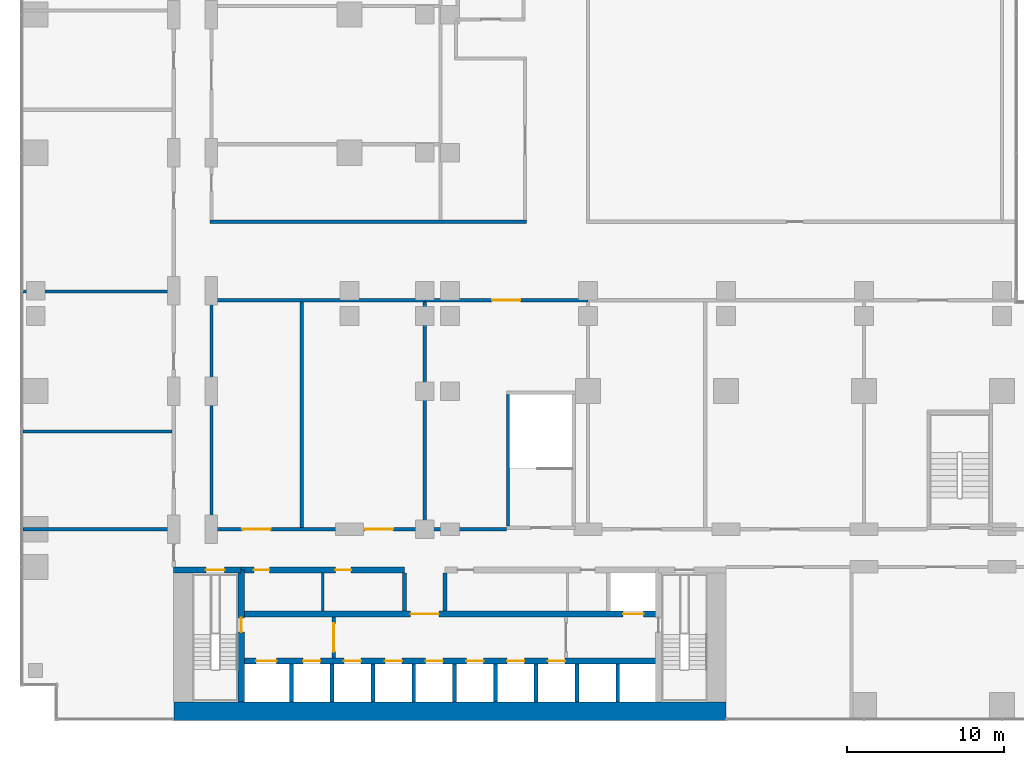
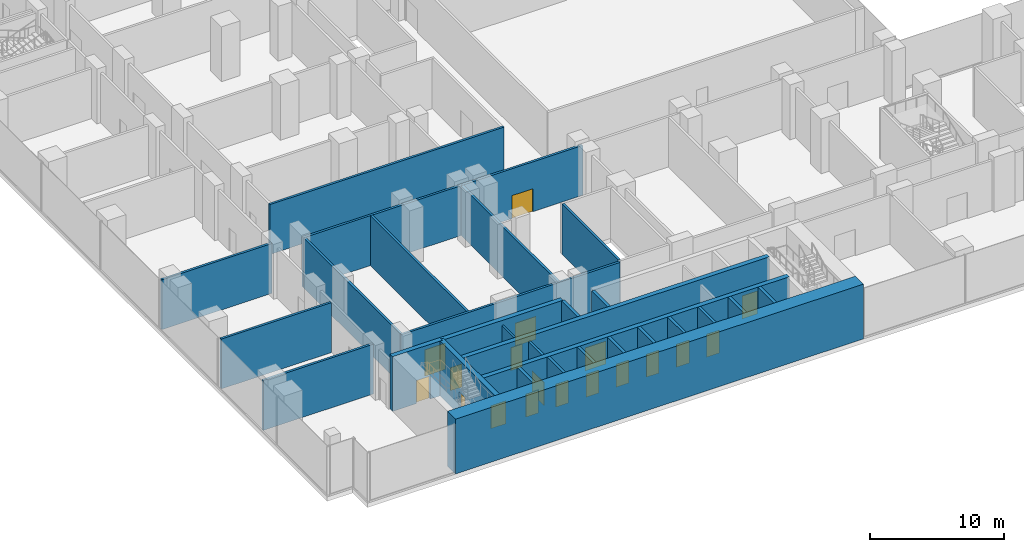
# One storey, part 18 of 27: 30 walls, 18 doors, 18 openings.
"""IFC4 building model written with IfcOpenShell, lengths in metres."""

from ifc_helpers import new_model, si_unit, direction, frame, frame_2d, origin, place, context, subcontext, project, spatial, rectangle, extrude, material, layer, layer_set, type_object, element, fill, save


model = new_model("IFC4")

# Units and contexts
model_context = context("Model", 3, precision=1e-05, world=origin(), true_north=direction((0.0, 1.0)))
body_context = subcontext(model_context, "Body", "Model", "MODEL_VIEW")
ifc_project = project(units=[si_unit("LENGTHUNIT", "METRE"), si_unit("AREAUNIT", "SQUARE_METRE"), si_unit("VOLUMEUNIT", "CUBIC_METRE"), si_unit("PLANEANGLEUNIT", "RADIAN"), si_unit("MASSUNIT", "GRAM", prefix="KILO")], contexts=[model_context])

# Site, building, storey
site_placement = place(None, origin())
site = spatial("IfcSite", under=ifc_project, at=site_placement, CompositionType="ELEMENT")
building_placement = place(site_placement, origin())
building = spatial("IfcBuilding", under=site, at=building_placement, Name="Kemantara Hotel Tower", CompositionType="ELEMENT")
storey_placement = place(building_placement, frame((0.0, 0.0, 29.0)))
storey = spatial("IfcBuildingStorey", under=building, at=storey_placement, Name="L05", CompositionType="ELEMENT", Elevation=29.0)

# Walls
ifc_material_1 = material(Name="Concrete fc 70 MPa", Category="concrete")
ifc_layer_1 = layer(ifc_material_1, 1.199951171875)
ifc_layer_set_1 = layer_set([ifc_layer_1], Name="Concrete fc 70 MPa")
wall_type_1 = type_object("IfcWallType", Name="CORE WALL 1200 FC70", PredefinedType="SHEAR", material=ifc_layer_set_1)
wall_1_placement = place(storey_placement, frame((9.800048828125, 0.60009765625, 0.0), z_axis=(0.0, 0.0, 1.0), x_axis=(1.0, 0.0, 0.0)))
element("IfcWall", 1, at=wall_1_placement, inside=storey, type_object=wall_type_1, Name="CORE WALL CW-S", PredefinedType="SHEAR", context=body_context, shape_type="SweptSolid", body=[
    extrude(rectangle(XDim=35.199951171875, YDim=1.199951171875, at=frame_2d((17.60009765625, 0.0))), origin(), (0.0, 0.0, 1.0), 5.0),
])
ifc_layer_2 = layer(ifc_material_1, 0.25)
ifc_layer_set_2 = layer_set([ifc_layer_2], Name="Concrete fc 70 MPa")
wall_type_2 = type_object("IfcWallType", Name="CORE WALL 250 FC70", PredefinedType="SHEAR", material=ifc_layer_set_2)
for number, where, z_axis, x_axis, name in (
    (2, (17.300048828125, 1.199951171875, 0.0), (0.0, 0.0, 1.0), (0.0, 1.0, 0.0), "CORE WALL CW-DS17.3"),
    (3, (19.89990234375, 1.199951171875, 0.0), (0.0, 0.0, 1.0), (0.0, 1.0, 0.0), "CORE WALL CW-DS19.9"),
    (4, (22.5, 1.199951171875, 0.0), (0.0, 0.0, 1.0), (0.0, 1.0, 0.0), "CORE WALL CW-DS22.5"),
    (5, (25.10009765625, 1.199951171875, 0.0), (0.0, 0.0, 1.0), (0.0, 1.0, 0.0), "CORE WALL CW-DS25.1"),
    (6, (27.699951171875, 1.199951171875, 0.0), (0.0, 0.0, 1.0), (0.0, 1.0, 0.0), "CORE WALL CW-DS27.7"),
    (7, (30.300048828125, 1.199951171875, 0.0), (0.0, 0.0, 1.0), (0.0, 1.0, 0.0), "CORE WALL CW-DS30.3"),
    (8, (32.89990234375, 1.199951171875, 0.0), (0.0, 0.0, 1.0), (0.0, 1.0, 0.0), "CORE WALL CW-DS32.9"),
    (9, (35.5, 1.199951171875, 0.0), (0.0, 0.0, 1.0), (0.0, 1.0, 0.0), "CORE WALL CW-DS35.5"),
    (10, (38.10009765625, 1.199951171875, 0.0), (0.0, 0.0, 1.0), (0.0, 1.0, 0.0), "CORE WALL CW-DS38.1"),
):
    element("IfcWall", number, at=place(storey_placement, frame(where, z_axis=z_axis, x_axis=x_axis)), inside=storey, type_object=wall_type_2, Name=name, PredefinedType="SHEAR", context=body_context, shape_type="SweptSolid", body=[
        extrude(rectangle(XDim=2.400146484375, YDim=0.25, at=frame_2d((1.2001953125, 0.0))), origin(), (0.0, 0.0, 1.0), 5.0),
    ])
for number, where, z_axis, x_axis, name in (
    (11, (24.5, 7.0, 0.0), (0.0, 0.0, 1.0), (0.0, 1.0, 0.0), "CORE WALL CW-DN24.5"),
    (12, (27.10009765625, 7.0, 0.0), (0.0, 0.0, 1.0), (0.0, 1.0, 0.0), "CORE WALL CW-DN27.1"),
):
    element("IfcWall", number, at=place(storey_placement, frame(where, z_axis=z_axis, x_axis=x_axis)), inside=storey, type_object=wall_type_2, Name=name, PredefinedType="SHEAR", context=body_context, shape_type="SweptSolid", body=[
        extrude(rectangle(XDim=2.39990234375, YDim=0.25, at=frame_2d((1.199951171875, 0.0))), origin(), (0.0, 0.0, 1.0), 5.0),
    ])

# Wall, opening, door
ifc_layer_3 = layer(ifc_material_1, 0.39990234375)
ifc_layer_set_3 = layer_set([ifc_layer_3], Name="Concrete fc 70 MPa")
wall_type_3 = type_object("IfcWallType", Name="CORE WALL 400 FC70", PredefinedType="SHEAR", material=ifc_layer_set_3)
wall_2_placement = place(storey_placement, frame((9.800048828125, 9.60009765625, 0.0), z_axis=(0.0, 0.0, 1.0), x_axis=(1.0, 0.0, 0.0)))
wall_2 = element("IfcWall", 13, at=wall_2_placement, inside=storey, type_object=wall_type_3, Name="CORE WALL CW-N1", PredefinedType="SHEAR", context=body_context, shape_type="SweptSolid", body=[
    extrude(rectangle(XDim=4.300048828125, YDim=0.39990234375, at=frame_2d((2.14990234375, 0.0))), origin(), (0.0, 0.0, 1.0), 5.0),
])
opening_1_placement = place(wall_2_placement, frame((2.050048828125, 0.0, 0.0)))
opening_1 = element("IfcOpeningElement", 14, at=opening_1_placement, cuts=wall_2, Name="Opening C07-ST1-C", PredefinedType="OPENING", context=body_context, shape_type="SweptSolid", body=[
    extrude(rectangle(XDim=1.199951171875, YDim=2.10009765625, at=frame_2d((0.60009765625, 1.050048828125))), frame((0.0, 0.2099609375, 0.0), z_axis=(0.0, -1.0, 0.0), x_axis=(1.0, 0.0, 0.0)), (0.0, 0.0, 1.0), 0.419921875),
])
ifc_material_2 = material(Name="Steel fire door", Category="steel")
door_type_1 = type_object("IfcDoorType", Name="Fire door FD90 1200 x 2100", OperationType="NOTDEFINED", PredefinedType="DOOR", material=ifc_material_2)
door_1_placement = place(opening_1_placement, frame((1.199951171875, 0.0, 0.0), z_axis=(0.0, 0.0, 1.0), x_axis=(-1.0, 0.0, 0.0)))
door_1 = element("IfcDoor", 15, at=door_1_placement, inside=storey, type_object=door_type_1, Name="Stair ST1 door to corridor", OperationType="SINGLE_SWING_LEFT", OverallHeight=2.10009765625, OverallWidth=1.199951171875, PredefinedType="DOOR", context=body_context, shape_type="SweptSolid", body=[
    extrude(rectangle(XDim=1.199951171875, YDim=2.10009765625, at=frame_2d((0.60009765625, 1.050048828125))), frame((0.0, 0.02490234375, 0.0), z_axis=(0.0, -1.0, 0.0), x_axis=(1.0, 0.0, 0.0)), (0.0, 0.0, 1.0), 0.050048828125),
])
fill(opening_1, door_1)

# Wall, openings, doors
wall_3_placement = place(storey_placement, frame((14.10009765625, 9.60009765625, 0.0), z_axis=(0.0, 0.0, 1.0), x_axis=(1.0, 0.0, 0.0)))
wall_3 = element("IfcWall", 16, at=wall_3_placement, inside=storey, type_object=wall_type_3, Name="CORE WALL CW-NN1", PredefinedType="SHEAR", context=body_context, shape_type="SweptSolid", body=[
    extrude(rectangle(XDim=10.39990234375, YDim=0.39990234375, at=frame_2d((5.199951171875, 0.0))), origin(), (0.0, 0.0, 1.0), 5.0),
])
opening_2_placement = place(wall_3_placement, frame((0.800048828125, 0.0, 0.0)))
opening_2 = element("IfcOpeningElement", 17, at=opening_2_placement, cuts=wall_3, Name="Opening C07-R-NW1", PredefinedType="OPENING", context=body_context, shape_type="SweptSolid", body=[
    extrude(rectangle(XDim=1.0, YDim=2.10009765625, at=frame_2d((0.5, 1.050048828125))), frame((0.0, 0.2099609375, 0.0), z_axis=(0.0, -1.0, 0.0), x_axis=(1.0, 0.0, 0.0)), (0.0, 0.0, 1.0), 0.419921875),
])
opening_3_placement = place(wall_3_placement, frame((6.0, 0.0, 0.0)))
opening_3 = element("IfcOpeningElement", 18, at=opening_3_placement, cuts=wall_3, Name="Opening C07-R-NW2", PredefinedType="OPENING", context=body_context, shape_type="SweptSolid", body=[
    extrude(rectangle(XDim=1.0, YDim=2.10009765625, at=frame_2d((0.5, 1.050048828125))), frame((0.0, 0.2099609375, 0.0), z_axis=(0.0, -1.0, 0.0), x_axis=(1.0, 0.0, 0.0)), (0.0, 0.0, 1.0), 0.419921875),
])
door_type_2 = type_object("IfcDoorType", Name="Fire door FD30S 1000 x 2100", OperationType="NOTDEFINED", PredefinedType="DOOR", material=ifc_material_2)
door_2_placement = place(opening_2_placement, frame((1.0, 0.0, 0.0), z_axis=(0.0, 0.0, 1.0), x_axis=(-1.0, 0.0, 0.0)))
door_2 = element("IfcDoor", 19, at=door_2_placement, inside=storey, type_object=door_type_2, Name="Housekeeping Store door", OperationType="SINGLE_SWING_RIGHT", OverallHeight=2.10009765625, OverallWidth=1.0, PredefinedType="DOOR", context=body_context, shape_type="SweptSolid", body=[
    extrude(rectangle(XDim=1.0, YDim=2.10009765625, at=frame_2d((0.5, 1.050048828125))), frame((0.0, 0.02490234375, 0.0), z_axis=(0.0, -1.0, 0.0), x_axis=(1.0, 0.0, 0.0)), (0.0, 0.0, 1.0), 0.050048828125),
])
fill(opening_2, door_2)
door_type_3 = type_object("IfcDoorType", Name="Fire door FD60 1000 x 2100", OperationType="NOTDEFINED", PredefinedType="DOOR", material=ifc_material_2)
door_3_placement = place(opening_3_placement, frame((1.0, 0.0, 0.0), z_axis=(0.0, 0.0, 1.0), x_axis=(-1.0, 0.0, 0.0)))
door_3 = element("IfcDoor", 20, at=door_3_placement, inside=storey, type_object=door_type_3, Name="It Equipment Room door", OperationType="SINGLE_SWING_LEFT", OverallHeight=2.10009765625, OverallWidth=1.0, PredefinedType="DOOR", context=body_context, shape_type="SweptSolid", body=[
    extrude(rectangle(XDim=1.0, YDim=2.10009765625, at=frame_2d((0.5, 1.050048828125))), frame((0.0, 0.02490234375, 0.0), z_axis=(0.0, -1.0, 0.0), x_axis=(1.0, 0.0, 0.0)), (0.0, 0.0, 1.0), 0.050048828125),
])
fill(opening_3, door_3)

wall_4_placement = place(storey_placement, frame((14.10009765625, 3.800048828125, 0.0), z_axis=(0.0, 0.0, 1.0), x_axis=(1.0, 0.0, 0.0)))
wall_4 = element("IfcWall", 21, at=wall_4_placement, inside=storey, type_object=wall_type_3, Name="CORE WALL CW-L1", PredefinedType="SHEAR", context=body_context, shape_type="SweptSolid", body=[
    extrude(rectangle(XDim=26.599853515625, YDim=0.39990234375, at=frame_2d((13.2998046875, 0.0))), origin(), (0.0, 0.0, 1.0), 5.0),
])
opening_4_placement = place(wall_4_placement, frame((0.949951171875, 0.0, 0.0)))
opening_4 = element("IfcOpeningElement", 22, at=opening_4_placement, cuts=wall_4, Name="Opening C07-LD-FF1", PredefinedType="OPENING", context=body_context, shape_type="SweptSolid", body=[
    extrude(rectangle(XDim=1.300048828125, YDim=2.10009765625, at=frame_2d((0.64990234375, 1.050048828125))), frame((0.0, 0.2099609375, 0.0), z_axis=(0.0, -1.0, 0.0), x_axis=(1.0, 0.0, 0.0)), (0.0, 0.0, 1.0), 0.419921875),
])
opening_5_placement = place(wall_4_placement, frame((3.949951171875, 0.0, 0.0)))
opening_5 = element("IfcOpeningElement", 23, at=opening_5_placement, cuts=wall_4, Name="Opening C07-LD-SV1", PredefinedType="OPENING", context=body_context, shape_type="SweptSolid", body=[
    extrude(rectangle(XDim=1.10009765625, YDim=2.10009765625, at=frame_2d((0.550048828125, 1.050048828125))), frame((0.0, 0.2099609375, 0.0), z_axis=(0.0, -1.0, 0.0), x_axis=(1.0, 0.0, 0.0)), (0.0, 0.0, 1.0), 0.419921875),
])
opening_6_placement = place(wall_4_placement, frame((6.550048828125, 0.0, 0.0)))
opening_6 = element("IfcOpeningElement", 24, at=opening_6_placement, cuts=wall_4, Name="Opening C07-LD-SV2", PredefinedType="OPENING", context=body_context, shape_type="SweptSolid", body=[
    extrude(rectangle(XDim=1.10009765625, YDim=2.10009765625, at=frame_2d((0.550048828125, 1.050048828125))), frame((0.0, 0.2099609375, 0.0), z_axis=(0.0, -1.0, 0.0), x_axis=(1.0, 0.0, 0.0)), (0.0, 0.0, 1.0), 0.419921875),
])
opening_7_placement = place(wall_4_placement, frame((9.14990234375, 0.0, 0.0)))
opening_7 = element("IfcOpeningElement", 25, at=opening_7_placement, cuts=wall_4, Name="Opening C07-LD-SV3", PredefinedType="OPENING", context=body_context, shape_type="SweptSolid", body=[
    extrude(rectangle(XDim=1.10009765625, YDim=2.10009765625, at=frame_2d((0.550048828125, 1.050048828125))), frame((0.0, 0.2099609375, 0.0), z_axis=(0.0, -1.0, 0.0), x_axis=(1.0, 0.0, 0.0)), (0.0, 0.0, 1.0), 0.419921875),
])
opening_8_placement = place(wall_4_placement, frame((11.75, 0.0, 0.0)))
opening_8 = element("IfcOpeningElement", 26, at=opening_8_placement, cuts=wall_4, Name="Opening C07-LD-LR1", PredefinedType="OPENING", context=body_context, shape_type="SweptSolid", body=[
    extrude(rectangle(XDim=1.10009765625, YDim=2.10009765625, at=frame_2d((0.550048828125, 1.050048828125))), frame((0.0, 0.2099609375, 0.0), z_axis=(0.0, -1.0, 0.0), x_axis=(1.0, 0.0, 0.0)), (0.0, 0.0, 1.0), 0.419921875),
])
opening_9_placement = place(wall_4_placement, frame((14.35009765625, 0.0, 0.0)))
opening_9 = element("IfcOpeningElement", 27, at=opening_9_placement, cuts=wall_4, Name="Opening C07-LD-LR2", PredefinedType="OPENING", context=body_context, shape_type="SweptSolid", body=[
    extrude(rectangle(XDim=1.10009765625, YDim=2.10009765625, at=frame_2d((0.550048828125, 1.050048828125))), frame((0.0, 0.2099609375, 0.0), z_axis=(0.0, -1.0, 0.0), x_axis=(1.0, 0.0, 0.0)), (0.0, 0.0, 1.0), 0.419921875),
])
opening_10_placement = place(wall_4_placement, frame((16.949951171875, 0.0, 0.0)))
opening_10 = element("IfcOpeningElement", 28, at=opening_10_placement, cuts=wall_4, Name="Opening C07-LD-LR3", PredefinedType="OPENING", context=body_context, shape_type="SweptSolid", body=[
    extrude(rectangle(XDim=1.10009765625, YDim=2.10009765625, at=frame_2d((0.550048828125, 1.050048828125))), frame((0.0, 0.2099609375, 0.0), z_axis=(0.0, -1.0, 0.0), x_axis=(1.0, 0.0, 0.0)), (0.0, 0.0, 1.0), 0.419921875),
])
opening_11_placement = place(wall_4_placement, frame((19.550048828125, 0.0, 0.0)))
opening_11 = element("IfcOpeningElement", 29, at=opening_11_placement, cuts=wall_4, Name="Opening C07-LD-LR4", PredefinedType="OPENING", context=body_context, shape_type="SweptSolid", body=[
    extrude(rectangle(XDim=1.10009765625, YDim=2.10009765625, at=frame_2d((0.550048828125, 1.050048828125))), frame((0.0, 0.2099609375, 0.0), z_axis=(0.0, -1.0, 0.0), x_axis=(1.0, 0.0, 0.0)), (0.0, 0.0, 1.0), 0.419921875),
])
ifc_material_3 = material(Name="Stainless steel lift door", Category="steel")
door_type_4 = type_object("IfcDoorType", Name="Lift landing door 1100 x 2100 FD60", OperationType="DOUBLE_DOOR_SLIDING", PredefinedType="DOOR", material=ifc_material_3)
door_4_placement = place(opening_5_placement, origin())
door_4 = element("IfcDoor", 30, at=door_4_placement, inside=storey, type_object=door_type_4, Name="Lift SV1 landing door", OperationType="DOUBLE_DOOR_SLIDING", OverallHeight=2.10009765625, OverallWidth=1.10009765625, PredefinedType="DOOR", context=body_context, shape_type="SweptSolid", body=[
    extrude(rectangle(XDim=1.10009765625, YDim=2.10009765625, at=frame_2d((0.550048828125, 1.050048828125))), frame((0.0, 0.02490234375, 0.0), z_axis=(0.0, -1.0, 0.0), x_axis=(1.0, 0.0, 0.0)), (0.0, 0.0, 1.0), 0.050048828125),
])
fill(opening_5, door_4)
door_5_placement = place(opening_6_placement, origin())
door_5 = element("IfcDoor", 31, at=door_5_placement, inside=storey, type_object=door_type_4, Name="Lift SV2 landing door", OperationType="DOUBLE_DOOR_SLIDING", OverallHeight=2.10009765625, OverallWidth=1.10009765625, PredefinedType="DOOR", context=body_context, shape_type="SweptSolid", body=[
    extrude(rectangle(XDim=1.10009765625, YDim=2.10009765625, at=frame_2d((0.550048828125, 1.050048828125))), frame((0.0, 0.02490234375, 0.0), z_axis=(0.0, -1.0, 0.0), x_axis=(1.0, 0.0, 0.0)), (0.0, 0.0, 1.0), 0.050048828125),
])
fill(opening_6, door_5)
door_6_placement = place(opening_7_placement, origin())
door_6 = element("IfcDoor", 32, at=door_6_placement, inside=storey, type_object=door_type_4, Name="Lift SV3 landing door", OperationType="DOUBLE_DOOR_SLIDING", OverallHeight=2.10009765625, OverallWidth=1.10009765625, PredefinedType="DOOR", context=body_context, shape_type="SweptSolid", body=[
    extrude(rectangle(XDim=1.10009765625, YDim=2.10009765625, at=frame_2d((0.550048828125, 1.050048828125))), frame((0.0, 0.02490234375, 0.0), z_axis=(0.0, -1.0, 0.0), x_axis=(1.0, 0.0, 0.0)), (0.0, 0.0, 1.0), 0.050048828125),
])
fill(opening_7, door_6)
door_7_placement = place(opening_8_placement, origin())
door_7 = element("IfcDoor", 33, at=door_7_placement, inside=storey, type_object=door_type_4, Name="Lift LR1 landing door", OperationType="DOUBLE_DOOR_SLIDING", OverallHeight=2.10009765625, OverallWidth=1.10009765625, PredefinedType="DOOR", context=body_context, shape_type="SweptSolid", body=[
    extrude(rectangle(XDim=1.10009765625, YDim=2.10009765625, at=frame_2d((0.550048828125, 1.050048828125))), frame((0.0, 0.02490234375, 0.0), z_axis=(0.0, -1.0, 0.0), x_axis=(1.0, 0.0, 0.0)), (0.0, 0.0, 1.0), 0.050048828125),
])
fill(opening_8, door_7)
door_8_placement = place(opening_9_placement, origin())
door_8 = element("IfcDoor", 34, at=door_8_placement, inside=storey, type_object=door_type_4, Name="Lift LR2 landing door", OperationType="DOUBLE_DOOR_SLIDING", OverallHeight=2.10009765625, OverallWidth=1.10009765625, PredefinedType="DOOR", context=body_context, shape_type="SweptSolid", body=[
    extrude(rectangle(XDim=1.10009765625, YDim=2.10009765625, at=frame_2d((0.550048828125, 1.050048828125))), frame((0.0, 0.02490234375, 0.0), z_axis=(0.0, -1.0, 0.0), x_axis=(1.0, 0.0, 0.0)), (0.0, 0.0, 1.0), 0.050048828125),
])
fill(opening_9, door_8)
door_9_placement = place(opening_10_placement, origin())
door_9 = element("IfcDoor", 35, at=door_9_placement, inside=storey, type_object=door_type_4, Name="Lift LR3 landing door", OperationType="DOUBLE_DOOR_SLIDING", OverallHeight=2.10009765625, OverallWidth=1.10009765625, PredefinedType="DOOR", context=body_context, shape_type="SweptSolid", body=[
    extrude(rectangle(XDim=1.10009765625, YDim=2.10009765625, at=frame_2d((0.550048828125, 1.050048828125))), frame((0.0, 0.02490234375, 0.0), z_axis=(0.0, -1.0, 0.0), x_axis=(1.0, 0.0, 0.0)), (0.0, 0.0, 1.0), 0.050048828125),
])
fill(opening_10, door_9)
door_10_placement = place(opening_11_placement, origin())
door_10 = element("IfcDoor", 36, at=door_10_placement, inside=storey, type_object=door_type_4, Name="Lift LR4 landing door", OperationType="DOUBLE_DOOR_SLIDING", OverallHeight=2.10009765625, OverallWidth=1.10009765625, PredefinedType="DOOR", context=body_context, shape_type="SweptSolid", body=[
    extrude(rectangle(XDim=1.10009765625, YDim=2.10009765625, at=frame_2d((0.550048828125, 1.050048828125))), frame((0.0, 0.02490234375, 0.0), z_axis=(0.0, -1.0, 0.0), x_axis=(1.0, 0.0, 0.0)), (0.0, 0.0, 1.0), 0.050048828125),
])
fill(opening_11, door_10)
door_type_5 = type_object("IfcDoorType", Name="Lift landing door 1300 x 2100 FD90", OperationType="DOUBLE_DOOR_SLIDING", PredefinedType="DOOR", material=ifc_material_3)
door_11_placement = place(opening_4_placement, origin())
door_11 = element("IfcDoor", 37, at=door_11_placement, inside=storey, type_object=door_type_5, Name="Lift FF1 landing door", OperationType="DOUBLE_DOOR_SLIDING", OverallHeight=2.10009765625, OverallWidth=1.300048828125, PredefinedType="DOOR", context=body_context, shape_type="SweptSolid", body=[
    extrude(rectangle(XDim=1.300048828125, YDim=2.10009765625, at=frame_2d((0.64990234375, 1.050048828125))), frame((0.0, 0.02490234375, 0.0), z_axis=(0.0, -1.0, 0.0), x_axis=(1.0, 0.0, 0.0)), (0.0, 0.0, 1.0), 0.050048828125),
])
fill(opening_4, door_11)

wall_5_placement = place(storey_placement, frame((14.10009765625, 6.800048828125, 0.0), z_axis=(0.0, 0.0, 1.0), x_axis=(1.0, 0.0, 0.0)))
wall_5 = element("IfcWall", 38, at=wall_5_placement, inside=storey, type_object=wall_type_3, Name="CORE WALL CW-L2", PredefinedType="SHEAR", context=body_context, shape_type="SweptSolid", body=[
    extrude(rectangle(XDim=26.599853515625, YDim=0.39990234375, at=frame_2d((13.2998046875, 0.0))), origin(), (0.0, 0.0, 1.0), 5.0),
])
opening_12_placement = place(wall_5_placement, frame((10.800048828125, 0.0, 0.0)))
opening_12 = element("IfcOpeningElement", 39, at=opening_12_placement, cuts=wall_5, Name="Opening C07-VL", PredefinedType="OPENING", context=body_context, shape_type="SweptSolid", body=[
    extrude(rectangle(XDim=1.800048828125, YDim=2.10009765625, at=frame_2d((0.89990234375, 1.050048828125))), frame((0.0, 0.2099609375, 0.0), z_axis=(0.0, -1.0, 0.0), x_axis=(1.0, 0.0, 0.0)), (0.0, 0.0, 1.0), 0.419921875),
])
opening_13_placement = place(wall_5_placement, frame((24.35009765625, 0.0, 0.0)))
opening_13 = element("IfcOpeningElement", 40, at=opening_13_placement, cuts=wall_5, Name="Opening C07-LD-FF2", PredefinedType="OPENING", context=body_context, shape_type="SweptSolid", body=[
    extrude(rectangle(XDim=1.300048828125, YDim=2.10009765625, at=frame_2d((0.64990234375, 1.050048828125))), frame((0.0, 0.2099609375, 0.0), z_axis=(0.0, -1.0, 0.0), x_axis=(1.0, 0.0, 0.0)), (0.0, 0.0, 1.0), 0.419921875),
])
door_type_6 = type_object("IfcDoorType", Name="Fire door pair FD60 1800 x 2100", OperationType="DOUBLE_DOOR_SINGLE_SWING", PredefinedType="DOOR", material=ifc_material_2)
door_12_placement = place(opening_12_placement, frame((1.800048828125, 0.0, 0.0), z_axis=(0.0, 0.0, 1.0), x_axis=(-1.0, 0.0, 0.0)))
door_12 = element("IfcDoor", 41, at=door_12_placement, inside=storey, type_object=door_type_6, Name="Lift lobby entry door", OperationType="DOUBLE_DOOR_SINGLE_SWING", OverallHeight=2.10009765625, OverallWidth=1.800048828125, PredefinedType="DOOR", context=body_context, shape_type="SweptSolid", body=[
    extrude(rectangle(XDim=1.800048828125, YDim=2.10009765625, at=frame_2d((0.89990234375, 1.050048828125))), frame((0.0, 0.02490234375, 0.0), z_axis=(0.0, -1.0, 0.0), x_axis=(1.0, 0.0, 0.0)), (0.0, 0.0, 1.0), 0.050048828125),
])
fill(opening_12, door_12)
door_13_placement = place(opening_13_placement, origin())
door_13 = element("IfcDoor", 42, at=door_13_placement, inside=storey, type_object=door_type_5, Name="Lift FF2 landing door", OperationType="DOUBLE_DOOR_SLIDING", OverallHeight=2.10009765625, OverallWidth=1.300048828125, PredefinedType="DOOR", context=body_context, shape_type="SweptSolid", body=[
    extrude(rectangle(XDim=1.300048828125, YDim=2.10009765625, at=frame_2d((0.64990234375, 1.050048828125))), frame((0.0, 0.02490234375, 0.0), z_axis=(0.0, -1.0, 0.0), x_axis=(1.0, 0.0, 0.0)), (0.0, 0.0, 1.0), 0.050048828125),
])
fill(opening_13, door_13)

# Wall, opening, door
wall_6_placement = place(storey_placement, frame((14.10009765625, 1.199951171875, 0.0), z_axis=(0.0, 0.0, 1.0), x_axis=(0.0, 1.0, 0.0)))
wall_6 = element("IfcWall", 43, at=wall_6_placement, inside=storey, type_object=wall_type_3, Name="CORE WALL CW-ST1E", PredefinedType="SHEAR", context=body_context, shape_type="SweptSolid", body=[
    extrude(rectangle(XDim=8.400146484375, YDim=0.39990234375, at=frame_2d((4.2001953125, 0.0))), origin(), (0.0, 0.0, 1.0), 5.0),
])
opening_14_placement = place(wall_6_placement, frame((4.449951171875, 0.0, 0.0)))
opening_14 = element("IfcOpeningElement", 44, at=opening_14_placement, cuts=wall_6, Name="Opening C07-ST1-F", PredefinedType="OPENING", context=body_context, shape_type="SweptSolid", body=[
    extrude(rectangle(XDim=0.89990234375, YDim=2.10009765625, at=frame_2d((0.449951171875, 1.050048828125))), frame((0.0, 0.2099609375, 0.0), z_axis=(0.0, -1.0, 0.0), x_axis=(1.0, 0.0, 0.0)), (0.0, 0.0, 1.0), 0.419921875),
])
door_type_7 = type_object("IfcDoorType", Name="Fire door FD90 900 x 2100", OperationType="NOTDEFINED", PredefinedType="DOOR", material=ifc_material_2)
door_14_placement = place(opening_14_placement, origin())
door_14 = element("IfcDoor", 45, at=door_14_placement, inside=storey, type_object=door_type_7, Name="Stair ST1 door to firefighting lobby", OperationType="SINGLE_SWING_RIGHT", OverallHeight=2.10009765625, OverallWidth=0.89990234375, PredefinedType="DOOR", context=body_context, shape_type="SweptSolid", body=[
    extrude(rectangle(XDim=0.89990234375, YDim=2.10009765625, at=frame_2d((0.449951171875, 1.050048828125))), frame((0.0, 0.02490234375, 0.0), z_axis=(0.0, -1.0, 0.0), x_axis=(1.0, 0.0, 0.0)), (0.0, 0.0, 1.0), 0.050048828125),
])
fill(opening_14, door_14)

# Walls
ifc_material_4 = material(Name="Concrete fc 40 MPa", Category="concrete")
ifc_layer_4 = layer(ifc_material_4, 0.199951171875)
ifc_layer_set_4 = layer_set([ifc_layer_4], Name="Concrete fc 40 MPa")
wall_type_4 = type_object("IfcWallType", Name="Concrete stair wall 200 mm", PredefinedType="SHEAR", material=ifc_layer_set_4)
wall_7_placement = place(storey_placement, frame((31.10009765625, 12.39990234375, 0.0), z_axis=(0.0, 0.0, 1.0), x_axis=(0.0, 1.0, 0.0)))
element("IfcWall", 46, at=wall_7_placement, inside=storey, type_object=wall_type_4, Name="Stair PS3 enclosure wall W", PredefinedType="SHEAR", context=body_context, shape_type="SweptSolid", body=[
    extrude(rectangle(XDim=8.400146484375, YDim=0.199951171875, at=frame_2d((4.2001953125, 0.0))), origin(), (0.0, 0.0, 1.0), 4.60009765625),
])
ifc_material_5 = material(Name="Clay brick masonry", Category="masonry")
ifc_layer_5 = layer(ifc_material_5, 0.199951171875)
ifc_layer_set_5 = layer_set([ifc_layer_5], Name="Clay brick masonry")
wall_type_5 = type_object("IfcWallType", Name="FIRE-RATED CLAY BRICK WALL 200 EI 120", PredefinedType="PARTITIONING", material=ifc_layer_set_5)
wall_8_placement = place(storey_placement, frame((0.199951171875, 12.199951171875, 0.0), z_axis=(0.0, 0.0, 1.0), x_axis=(1.0, 0.0, 0.0)))
element("IfcWall", 47, at=wall_8_placement, inside=storey, type_object=wall_type_5, Name="FIRE WALL", PredefinedType="PARTITIONING", context=body_context, shape_type="SweptSolid", body=[
    extrude(rectangle(XDim=9.5, YDim=0.199951171875, at=frame_2d((4.75, 0.0))), origin(), (0.0, 0.0, 1.0), 4.550048828125),
])

# Wall, openings, doors
ifc_material_6 = material(Name="Fire-rated gypsum board partition")
ifc_layer_6 = layer(ifc_material_6, 0.199951171875)
ifc_layer_set_6 = layer_set([ifc_layer_6], Name="Fire-rated gypsum board partition")
wall_type_6 = type_object("IfcWallType", Name="FIRE-RATED GYPSUM PARTITION 200 EI 60", PredefinedType="PARTITIONING", material=ifc_layer_set_6)
wall_9_placement = place(storey_placement, frame((12.10009765625, 12.199951171875, 0.0), z_axis=(0.0, 0.0, 1.0), x_axis=(1.0, 0.0, 0.0)))
wall_9 = element("IfcWall", 48, at=wall_9_placement, inside=storey, type_object=wall_type_6, Name="FIRE-RATED PARTITION", PredefinedType="PARTITIONING", context=body_context, shape_type="SweptSolid", body=[
    extrude(rectangle(XDim=18.89990234375, YDim=0.199951171875, at=frame_2d((9.449951171875, 0.0))), origin(), (0.0, 0.0, 1.0), 4.550048828125),
])
opening_15_placement = place(wall_9_placement, frame((2.080078125, 0.0, 0.0)))
opening_15 = element("IfcOpeningElement", 49, at=opening_15_placement, cuts=wall_9, Name="Opening L05-B022", PredefinedType="OPENING", context=body_context, shape_type="SweptSolid", body=[
    extrude(rectangle(XDim=1.800048828125, YDim=2.39990234375, at=frame_2d((0.89990234375, 1.199951171875))), frame((0.0, 0.10986328125, 0.0), z_axis=(0.0, -1.0, 0.0), x_axis=(1.0, 0.0, 0.0)), (0.0, 0.0, 1.0), 0.219970703125),
])
opening_16_placement = place(wall_9_placement, frame((9.8798828125, 0.0, 0.0)))
opening_16 = element("IfcOpeningElement", 50, at=opening_16_placement, cuts=wall_9, Name="Opening L05-B023", PredefinedType="OPENING", context=body_context, shape_type="SweptSolid", body=[
    extrude(rectangle(XDim=1.800048828125, YDim=2.10009765625, at=frame_2d((0.89990234375, 1.050048828125))), frame((0.0, 0.10986328125, 0.0), z_axis=(0.0, -1.0, 0.0), x_axis=(1.0, 0.0, 0.0)), (0.0, 0.0, 1.0), 0.219970703125),
])
ifc_material_7 = material(Name="Timber veneer door leaf", Category="wood")
door_type_8 = type_object("IfcDoorType", Name="DOUBLE LEAF TIMBER DOOR 1800 X 2100", OperationType="DOUBLE_DOOR_SINGLE_SWING", PredefinedType="DOOR", material=ifc_material_7)
door_15_placement = place(opening_16_placement, frame((1.800048828125, 0.0, 0.0), z_axis=(0.0, 0.0, 1.0), x_axis=(-1.0, 0.0, 0.0)))
door_15 = element("IfcDoor", 51, at=door_15_placement, inside=storey, type_object=door_type_8, Name="DOUBLE LEAF TIMBER DOOR", OperationType="DOUBLE_DOOR_SINGLE_SWING", OverallHeight=2.10009765625, OverallWidth=1.800048828125, PredefinedType="DOOR", context=body_context, shape_type="SweptSolid", body=[
    extrude(rectangle(XDim=1.800048828125, YDim=2.10009765625, at=frame_2d((0.89990234375, 1.050048828125))), frame((0.0, 0.02490234375, 0.0), z_axis=(0.0, -1.0, 0.0), x_axis=(1.0, 0.0, 0.0)), (0.0, 0.0, 1.0), 0.050048828125),
])
fill(opening_16, door_15)
ifc_material_8 = material(Name="Toughened glass door leaf", Category="glass")
door_type_9 = type_object("IfcDoorType", Name="GLAZED DOUBLE DOOR 1800 X 2400", OperationType="DOUBLE_DOOR_SINGLE_SWING", PredefinedType="DOOR", material=ifc_material_8)
door_16_placement = place(opening_15_placement, frame((1.800048828125, 0.0, 0.0), z_axis=(0.0, 0.0, 1.0), x_axis=(-1.0, 0.0, 0.0)))
door_16 = element("IfcDoor", 52, at=door_16_placement, inside=storey, type_object=door_type_9, Name="GLAZED DOUBLE DOOR", OperationType="DOUBLE_DOOR_SINGLE_SWING", OverallHeight=2.39990234375, OverallWidth=1.800048828125, PredefinedType="DOOR", context=body_context, shape_type="SweptSolid", body=[
    extrude(rectangle(XDim=1.800048828125, YDim=2.39990234375, at=frame_2d((0.89990234375, 1.199951171875))), frame((0.0, 0.02490234375, 0.0), z_axis=(0.0, -1.0, 0.0), x_axis=(1.0, 0.0, 0.0)), (0.0, 0.0, 1.0), 0.050048828125),
])
fill(opening_15, door_16)

# Wall, opening, door
wall_10_placement = place(storey_placement, frame((25.800048828125, 26.800048828125, 0.0), z_axis=(0.0, 0.0, 1.0), x_axis=(1.0, 0.0, 0.0)))
wall_10 = element("IfcWall", 53, at=wall_10_placement, inside=storey, type_object=wall_type_6, Name="FIRE-RATED PARTITION", PredefinedType="PARTITIONING", context=body_context, shape_type="SweptSolid", body=[
    extrude(rectangle(XDim=10.39990234375, YDim=0.199951171875, at=frame_2d((5.199951171875, 0.0))), origin(), (0.0, 0.0, 1.0), 4.550048828125),
])
opening_17_placement = place(wall_10_placement, frame((4.300048828125, 0.0, 0.0)))
opening_17 = element("IfcOpeningElement", 54, at=opening_17_placement, cuts=wall_10, Name="Opening L05-B024", PredefinedType="OPENING", context=body_context, shape_type="SweptSolid", body=[
    extrude(rectangle(XDim=1.800048828125, YDim=2.10009765625, at=frame_2d((0.89990234375, 1.050048828125))), frame((0.0, 0.10986328125, 0.0), z_axis=(0.0, -1.0, 0.0), x_axis=(1.0, 0.0, 0.0)), (0.0, 0.0, 1.0), 0.219970703125),
])
door_17_placement = place(opening_17_placement, frame((1.800048828125, 0.0, 0.0), z_axis=(0.0, 0.0, 1.0), x_axis=(-1.0, 0.0, 0.0)))
door_17 = element("IfcDoor", 55, at=door_17_placement, inside=storey, type_object=door_type_8, Name="DOUBLE LEAF TIMBER DOOR", OperationType="DOUBLE_DOOR_SINGLE_SWING", OverallHeight=2.10009765625, OverallWidth=1.800048828125, PredefinedType="DOOR", context=body_context, shape_type="SweptSolid", body=[
    extrude(rectangle(XDim=1.800048828125, YDim=2.10009765625, at=frame_2d((0.89990234375, 1.050048828125))), frame((0.0, 0.02490234375, 0.0), z_axis=(0.0, -1.0, 0.0), x_axis=(1.0, 0.0, 0.0)), (0.0, 0.0, 1.0), 0.050048828125),
])
fill(opening_17, door_17)

# Walls
wall_11_placement = place(storey_placement, frame((12.199951171875, 12.300048828125, 0.0), z_axis=(0.0, 0.0, 1.0), x_axis=(0.0, 1.0, 0.0)))
element("IfcWall", 56, at=wall_11_placement, inside=storey, type_object=wall_type_6, Name="FIRE-RATED PARTITION", PredefinedType="PARTITIONING", context=body_context, shape_type="SweptSolid", body=[
    extrude(rectangle(XDim=14.39990234375, YDim=0.199951171875, at=frame_2d((7.199951171875, 0.0))), origin(), (0.0, 0.0, 1.0), 4.550048828125),
])
ifc_material_9 = material(Name="Gypsum board partition")
ifc_layer_7 = layer(ifc_material_9, 0.199951171875)
ifc_layer_set_7 = layer_set([ifc_layer_7], Name="Gypsum board partition")
wall_type_7 = type_object("IfcWallType", Name="GYPSUM BOARD PARTITION 200", PredefinedType="PARTITIONING", material=ifc_layer_set_7)
wall_12_placement = place(storey_placement, frame((12.10009765625, 26.800048828125, 0.0), z_axis=(0.0, 0.0, 1.0), x_axis=(1.0, 0.0, 0.0)))
element("IfcWall", 57, at=wall_12_placement, inside=storey, type_object=wall_type_7, Name="PARTITION", PredefinedType="PARTITIONING", context=body_context, shape_type="SweptSolid", body=[
    extrude(rectangle(XDim=13.699951171875, YDim=0.199951171875, at=frame_2d((6.85009765625, 0.0))), origin(), (0.0, 0.0, 1.0), 4.550048828125),
])
wall_13_placement = place(storey_placement, frame((12.10009765625, 31.800048828125, 0.0), z_axis=(0.0, 0.0, 1.0), x_axis=(1.0, 0.0, 0.0)))
element("IfcWall", 58, at=wall_13_placement, inside=storey, type_object=wall_type_7, Name="PARTITION", PredefinedType="PARTITIONING", context=body_context, shape_type="SweptSolid", body=[
    extrude(rectangle(XDim=20.199951171875, YDim=0.199951171875, at=frame_2d((10.10009765625, 0.0))), origin(), (0.0, 0.0, 1.0), 4.550048828125),
])
for number, where, z_axis, x_axis, name in (
    (59, (0.199951171875, 18.43994140625, 0.0), (0.0, 0.0, 1.0), (1.0, 0.0, 0.0), "PARTITION"),
    (60, (0.199951171875, 27.35009765625, 0.0), (0.0, 0.0, 1.0), (1.0, 0.0, 0.0), "PARTITION"),
):
    element("IfcWall", number, at=place(storey_placement, frame(where, z_axis=z_axis, x_axis=x_axis)), inside=storey, type_object=wall_type_7, Name=name, PredefinedType="PARTITIONING", context=body_context, shape_type="SweptSolid", body=[
        extrude(rectangle(XDim=9.5, YDim=0.199951171875, at=frame_2d((4.75, 0.0))), origin(), (0.0, 0.0, 1.0), 4.550048828125),
    ])
for number, where, z_axis, x_axis, name in (
    (61, (17.9599609375, 12.300048828125, 0.0), (0.0, 0.0, 1.0), (0.0, 1.0, 0.0), "PARTITION"),
    (62, (25.800048828125, 12.300048828125, 0.0), (0.0, 0.0, 1.0), (0.0, 1.0, 0.0), "PARTITION"),
):
    element("IfcWall", number, at=place(storey_placement, frame(where, z_axis=z_axis, x_axis=x_axis)), inside=storey, type_object=wall_type_7, Name=name, PredefinedType="PARTITIONING", context=body_context, shape_type="SweptSolid", body=[
        extrude(rectangle(XDim=14.39990234375, YDim=0.199951171875, at=frame_2d((7.199951171875, 0.0))), origin(), (0.0, 0.0, 1.0), 4.550048828125),
    ])
ifc_layer_8 = layer(ifc_material_9, 0.14990234375)
ifc_layer_set_8 = layer_set([ifc_layer_8], Name="Gypsum board partition")
wall_type_8 = type_object("IfcWallType", Name="Gypsum board partition 150 mm", PredefinedType="PARTITIONING", material=ifc_layer_set_8)
wall_14_placement = place(storey_placement, frame((19.300048828125, 7.0, 0.0), z_axis=(0.0, 0.0, 1.0), x_axis=(0.0, 1.0, 0.0)))
element("IfcWall", 63, at=wall_14_placement, inside=storey, type_object=wall_type_8, Name="Core room partition", PredefinedType="PARTITIONING", context=body_context, shape_type="SweptSolid", body=[
    extrude(rectangle(XDim=2.39990234375, YDim=0.14990234375, at=frame_2d((1.199951171875, 0.0))), origin(), (0.0, 0.0, 1.0), 4.550048828125),
])

# Wall, opening, door
ifc_material_10 = material(Name="Gypsum board shaft wall")
ifc_layer_9 = layer(ifc_material_10, 0.199951171875)
ifc_layer_set_9 = layer_set([ifc_layer_9], Name="Gypsum board shaft wall")
wall_type_9 = type_object("IfcWallType", Name="Gypsum board shaft wall 200 mm", PredefinedType="PARTITIONING", material=ifc_layer_set_9)
wall_15_placement = place(storey_placement, frame((20.0, 4.0, 0.0), z_axis=(0.0, 0.0, 1.0), x_axis=(0.0, 1.0, 0.0)))
wall_15 = element("IfcWall", 64, at=wall_15_placement, inside=storey, type_object=wall_type_9, Name="Firefighting lobby partition west", PredefinedType="PARTITIONING", context=body_context, shape_type="SweptSolid", body=[
    extrude(rectangle(XDim=2.60009765625, YDim=0.199951171875, at=frame_2d((1.300048828125, 0.0))), origin(), (0.0, 0.0, 1.0), 4.550048828125),
])
opening_18_placement = place(wall_15_placement, frame((0.39990234375, 0.0, 0.0)))
opening_18 = element("IfcOpeningElement", 65, at=opening_18_placement, cuts=wall_15, Name="Opening C07-FFW", PredefinedType="OPENING", context=body_context, shape_type="SweptSolid", body=[
    extrude(rectangle(XDim=1.800048828125, YDim=2.10009765625, at=frame_2d((0.89990234375, 1.050048828125))), frame((0.0, 0.10986328125, 0.0), z_axis=(0.0, -1.0, 0.0), x_axis=(1.0, 0.0, 0.0)), (0.0, 0.0, 1.0), 0.219970703125),
])
door_18_placement = place(opening_18_placement, origin())
door_18 = element("IfcDoor", 66, at=door_18_placement, inside=storey, type_object=door_type_6, Name="Firefighting lobby door west", OperationType="DOUBLE_DOOR_SINGLE_SWING", OverallHeight=2.10009765625, OverallWidth=1.800048828125, PredefinedType="DOOR", context=body_context, shape_type="SweptSolid", body=[
    extrude(rectangle(XDim=1.800048828125, YDim=2.10009765625, at=frame_2d((0.89990234375, 1.050048828125))), frame((0.0, 0.02490234375, 0.0), z_axis=(0.0, -1.0, 0.0), x_axis=(1.0, 0.0, 0.0)), (0.0, 0.0, 1.0), 0.050048828125),
])
fill(opening_18, door_18)

save(model, "model.ifc")
